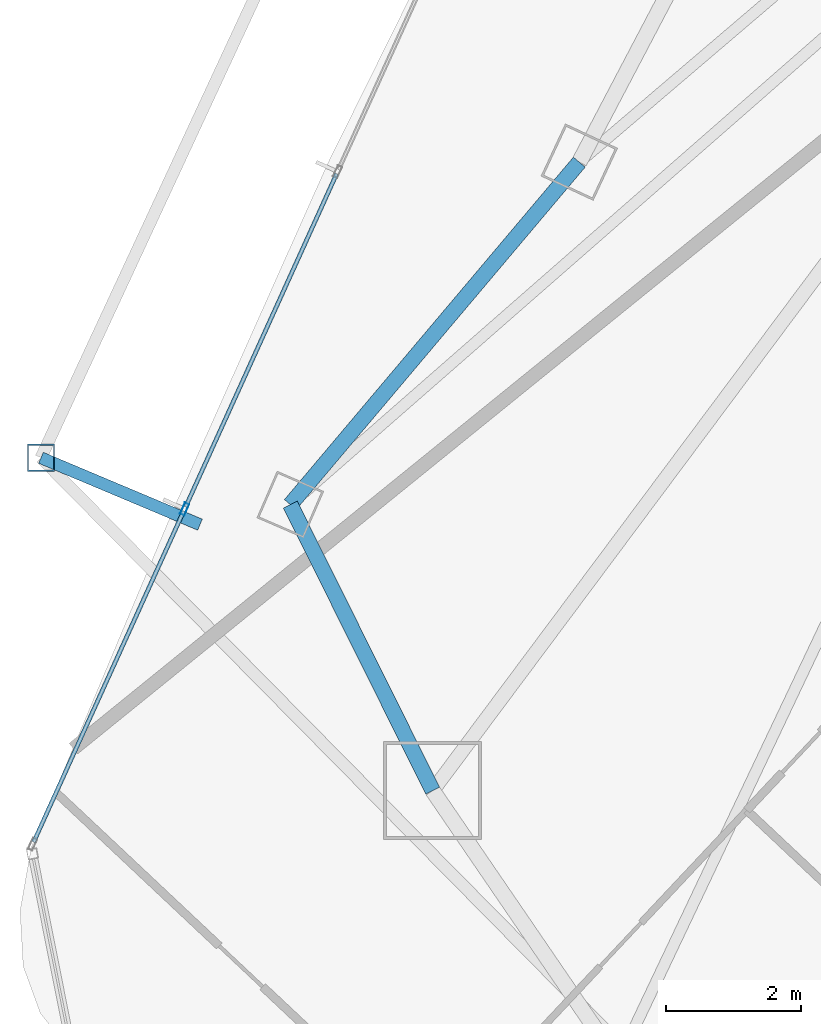
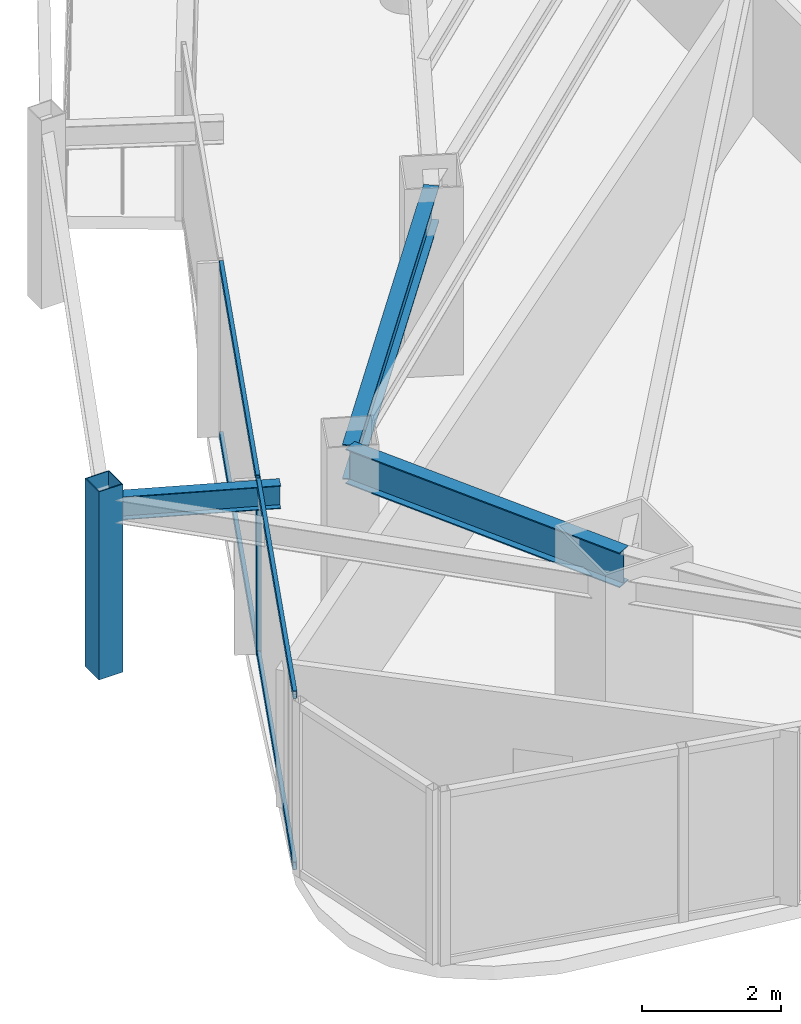
# One storey, part 5 of 29: 6 members, 3 beams, 1 element without a shape of its own.
"""IFC4 building model written with IfcOpenShell, lengths in metres."""

from ifc_helpers import new_model, si_unit, direction, frame, origin, origin_2d, place, context, subcontext, project, spatial, hollow_rectangle, i_section, extrude, material, layer, layer_set, material_profile, profile_set, type_object, element, aggregate, save


model = new_model("IFC4")

# Units and contexts
model_context = context("Model", 3, precision=1e-05, world=origin(), true_north=direction((0.0, 1.0)))
body_context = subcontext(model_context, "Body", "Model", "MODEL_VIEW")
ifc_project = project(units=[si_unit("LENGTHUNIT", "METRE"), si_unit("AREAUNIT", "SQUARE_METRE"), si_unit("VOLUMEUNIT", "CUBIC_METRE"), si_unit("PLANEANGLEUNIT", "RADIAN"), si_unit("MASSUNIT", "GRAM", prefix="KILO")], contexts=[model_context])

# Site, building, storey
site_placement = place(None, origin())
site = spatial("IfcSite", under=ifc_project, at=site_placement, CompositionType="ELEMENT")
building_placement = place(site_placement, origin())
building = spatial("IfcBuilding", under=site, at=building_placement, Name="Orvanel Arch Residences", CompositionType="ELEMENT")
storey_placement = place(building_placement, frame((0.0, 0.0, 163.85009765625)))
storey = spatial("IfcBuildingStorey", under=building, at=storey_placement, Name="L46", CompositionType="ELEMENT", Elevation=163.85009765625)

# Curtain wall, member
ifc_material_1 = material(Name="Bronze-anodised aluminium AA6063-T6", Category="aluminium")
ifc_layer = layer(ifc_material_1, 0.179931640625)
ifc_layer_set = layer_set([ifc_layer], Name="Bronze-anodised aluminium AA6063-T6")
curtain_wall_type = type_object("IfcCurtainWallType", Name="CW3-MID-SYS", PredefinedType="NOTDEFINED", material=ifc_layer_set)
curtain_wall_placement = place(storey_placement, origin())
curtain_wall = element("IfcCurtainWall", 1, at=curtain_wall_placement, inside=storey, type_object=curtain_wall_type, Name="L46 CW3-MID-SYS Unitised Curtain Wall", PredefinedType="NOTDEFINED")
ifc_material_profile_1 = material_profile(ifc_material_1, hollow_rectangle(XDim=0.070068359375, YDim=0.179931640625, WallThickness=0.00439453125, at=origin_2d()), Name="ALU180x70x4.5")
ifc_profile_set_1 = profile_set([ifc_material_profile_1], Name="Bronze-anodised aluminium AA6063-T6")
member_type_1 = type_object("IfcMemberType", Name="MUL-180x70", PredefinedType="MULLION", material=ifc_profile_set_1)
member_1_placement = place(storey_placement, frame((10.532958984375, 14.514404296875, 0.0), z_axis=(0.0, 0.0, 1.0), x_axis=(0.910745569556, -0.412967925551, 0.0)))
member_1 = element("IfcMember", 2, at=member_1_placement, type_object=member_type_1, Name="CW-S3 mullion 3", PredefinedType="MULLION", context=body_context, shape_type="SweptSolid", body=[
    extrude(hollow_rectangle(XDim=0.070068359375, YDim=0.179931640625, WallThickness=0.00439453125, at=origin_2d()), origin(), (0.0, 0.0, 1.0), 3.059814453125),
])

# Beams
ifc_material_2 = material(Name="Structural steel AS/NZS 3679.1 Grade 300 (300 MPa)", Category="steel")
ifc_material_profile_2 = material_profile(ifc_material_2, i_section(OverallWidth=0.177978515625, OverallDepth=0.406005859375, WebThickness=0.0078125, FlangeThickness=0.0126953125, at=origin_2d()), Name="410UB59.7")
ifc_profile_set_2 = profile_set([ifc_material_profile_2], Name="Structural steel AS/NZS 3679.1 Grade 300 (300 MPa)")
beam_type_1 = type_object("IfcBeamType", Name="OB-410UB-EXT", PredefinedType="SPANDREL", material=ifc_profile_set_2)
beam_1_placement = place(storey_placement, frame((10.760009765625, 14.282958984375, 2.85693359375), z_axis=(-0.921763249201, 0.387753159139, 0.0), x_axis=(-0.387753159139, -0.921763249201, 0.0)))
element("IfcBeam", 3, at=beam_1_placement, inside=storey, type_object=beam_type_1, Name="L46 Outer Frame Radial Tie Beam 04", PredefinedType="SPANDREL", context=body_context, shape_type="SweptSolid", body=[
    extrude(i_section(OverallWidth=0.177978515625, OverallDepth=0.406005859375, WebThickness=0.0078125, FlangeThickness=0.0126953125, at=origin_2d()), origin(), (0.0, 0.0, 1.0), 2.550537109375),
])
ifc_material_profile_3 = material_profile(ifc_material_2, i_section(OverallWidth=0.22900390625, OverallDepth=0.612060546875, WebThickness=0.011962890625, FlangeThickness=0.01953125, at=origin_2d()), Name="610UB125")
ifc_profile_set_3 = profile_set([ifc_material_profile_3], Name="Structural steel AS/NZS 3679.1 Grade 300 (300 MPa)")
beam_type_2 = type_object("IfcBeamType", Name="SP-610UB", PredefinedType="SPANDREL", material=ifc_profile_set_3)
beam_2_placement = place(storey_placement, frame((16.366943359375, 19.64208984375, 2.75390625), z_axis=(-0.644950329775, -0.764224490659, 0.0), x_axis=(0.764224490659, -0.644950329775, 0.0)))
element("IfcBeam", 4, at=beam_2_placement, inside=storey, type_object=beam_type_2, Name="L46 Perimeter Spandrel Beam 01", PredefinedType="SPANDREL", context=body_context, shape_type="SweptSolid", body=[
    extrude(i_section(OverallWidth=0.22900390625, OverallDepth=0.612060546875, WebThickness=0.011962890625, FlangeThickness=0.01953125, at=origin_2d()), origin(), (0.0, 0.0, 1.0), 6.623779296875),
])
beam_3_placement = place(storey_placement, frame((12.094970703125, 14.580078125, 2.75390625), z_axis=(0.44543469453, -0.895314432425, 0.0), x_axis=(0.895314432425, 0.44543469453, 0.0)))
element("IfcBeam", 5, at=beam_3_placement, inside=storey, type_object=beam_type_2, Name="L46 Perimeter Spandrel Beam 02", PredefinedType="SPANDREL", context=body_context, shape_type="SweptSolid", body=[
    extrude(i_section(OverallWidth=0.22900390625, OverallDepth=0.612060546875, WebThickness=0.011962890625, FlangeThickness=0.01953125, at=origin_2d()), origin(), (0.0, 0.0, 1.0), 4.723388671875),
])

# Member
ifc_material_3 = material(Name="Structural steel AS/NZS 1163 C450L0 (Grade 450)", Category="steel")
ifc_material_profile_4 = material_profile(ifc_material_3, hollow_rectangle(XDim=0.39990234375, YDim=0.39990234375, WallThickness=0.01611328125, at=origin_2d()), Name="SHS400x400x16")
ifc_profile_set_4 = profile_set([ifc_material_profile_4], Name="Structural steel AS/NZS 1163 C450L0 (Grade 450)")
member_type_2 = type_object("IfcMemberType", Name="ST-400SHS-EXT", PredefinedType="STRUT", material=ifc_profile_set_4)
member_2_placement = place(storey_placement, frame((8.408935546875, 15.27197265625, 0.0), z_axis=(0.0, 0.0, 1.0), x_axis=(1.0, 0.0, 0.0)))
element("IfcMember", 6, at=member_2_placement, inside=storey, type_object=member_type_2, Name="L46 Outer Perimeter Frame Post 04", PredefinedType="STRUT", context=body_context, shape_type="SweptSolid", body=[
    extrude(hollow_rectangle(XDim=0.39990234375, YDim=0.39990234375, WallThickness=0.01611328125, at=origin_2d()), origin(), (0.0, 0.0, 1.0), 3.2998046875),
])

ifc_material_profile_5 = material_profile(ifc_material_1, hollow_rectangle(XDim=0.06005859375, YDim=0.135009765625, WallThickness=0.00390625, at=origin_2d()), Name="ALU135x60x4")
ifc_profile_set_5 = profile_set([ifc_material_profile_5], Name="Bronze-anodised aluminium AA6063-T6")
member_type_3 = type_object("IfcMemberType", Name="TRN-135x60", PredefinedType="USERDEFINED", material=ifc_profile_set_5)
member_3_placement = place(storey_placement, frame((12.779541015625, 19.46875, 0.02978515625), z_axis=(-0.412979216065, -0.910740449908, 0.0), x_axis=(0.910740449908, -0.412979216065, 0.0)))
member_3 = element("IfcMember", 7, at=member_3_placement, type_object=member_type_3, Name="CW-S3 transom 2.1", ObjectType="TRANSOM", PredefinedType="USERDEFINED", context=body_context, shape_type="SweptSolid", body=[
    extrude(hollow_rectangle(XDim=0.06005859375, YDim=0.135009765625, WallThickness=0.00390625, at=origin_2d()), origin(), (0.0, 0.0, 1.0), 5.405029296875),
])

member_4_placement = place(storey_placement, frame((12.779541015625, 19.46875, 3.02978515625), z_axis=(-0.412979216065, -0.910740449908, 0.0), x_axis=(0.910740449908, -0.412979216065, 0.0)))
member_4 = element("IfcMember", 8, at=member_4_placement, type_object=member_type_3, Name="CW-S3 transom 2.2", ObjectType="TRANSOM", PredefinedType="USERDEFINED", context=body_context, shape_type="SweptSolid", body=[
    extrude(hollow_rectangle(XDim=0.06005859375, YDim=0.135009765625, WallThickness=0.00390625, at=origin_2d()), origin(), (0.0, 0.0, 1.0), 5.405029296875),
])

member_5_placement = place(storey_placement, frame((10.5185546875, 14.482421875, 0.02978515625), z_axis=(-0.412956684537, -0.910750666591, 0.0), x_axis=(0.910750666591, -0.412956684537, 0.0)))
member_5 = element("IfcMember", 9, at=member_5_placement, type_object=member_type_3, Name="CW-S3 transom 3.1", ObjectType="TRANSOM", PredefinedType="USERDEFINED", context=body_context, shape_type="SweptSolid", body=[
    extrude(hollow_rectangle(XDim=0.06005859375, YDim=0.135009765625, WallThickness=0.00390625, at=origin_2d()), origin(), (0.0, 0.0, 1.0), 5.369873046875),
])

member_6_placement = place(storey_placement, frame((10.5185546875, 14.482421875, 3.02978515625), z_axis=(-0.412956684537, -0.910750666591, 0.0), x_axis=(0.910750666591, -0.412956684537, 0.0)))
member_6 = element("IfcMember", 10, at=member_6_placement, type_object=member_type_3, Name="CW-S3 transom 3.2", ObjectType="TRANSOM", PredefinedType="USERDEFINED", context=body_context, shape_type="SweptSolid", body=[
    extrude(hollow_rectangle(XDim=0.06005859375, YDim=0.135009765625, WallThickness=0.00390625, at=origin_2d()), origin(), (0.0, 0.0, 1.0), 5.369873046875),
])

aggregate(curtain_wall, [member_1, member_3, member_4, member_5, member_6])

save(model, "model.ifc")
